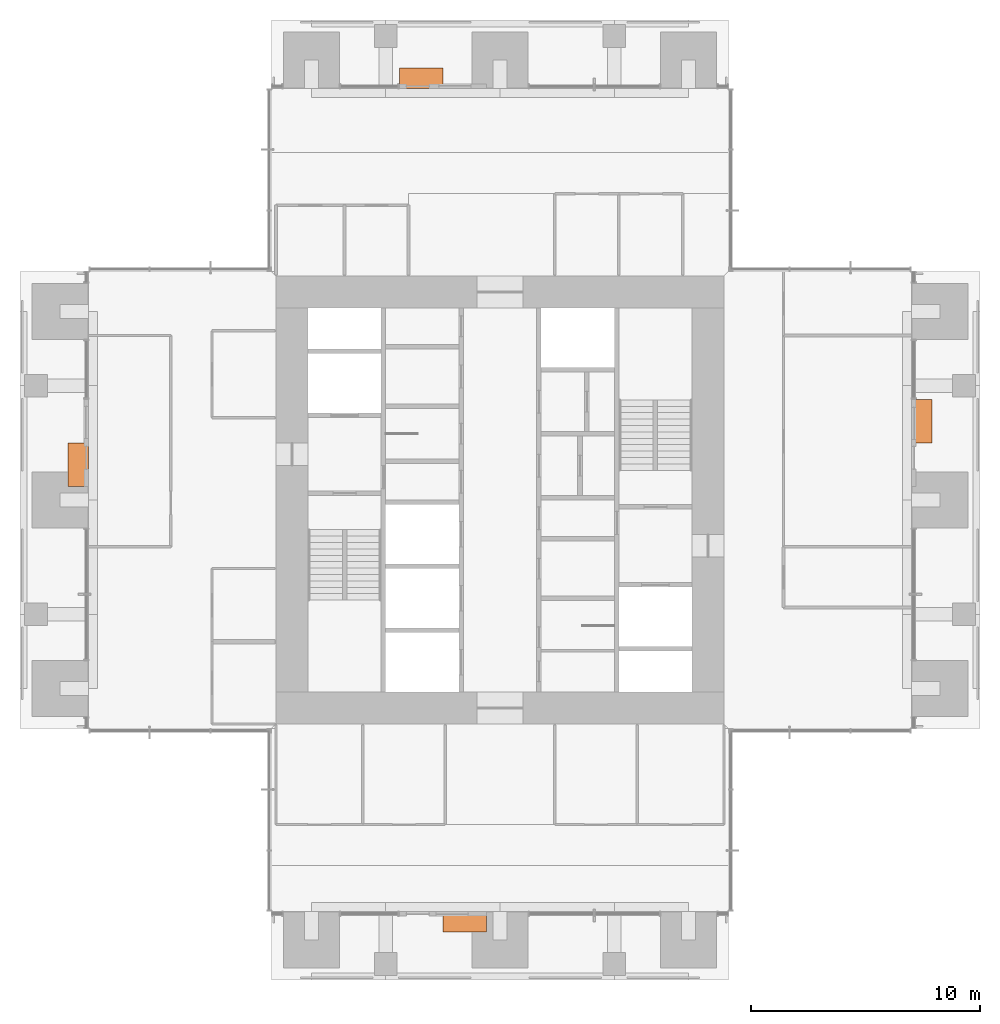
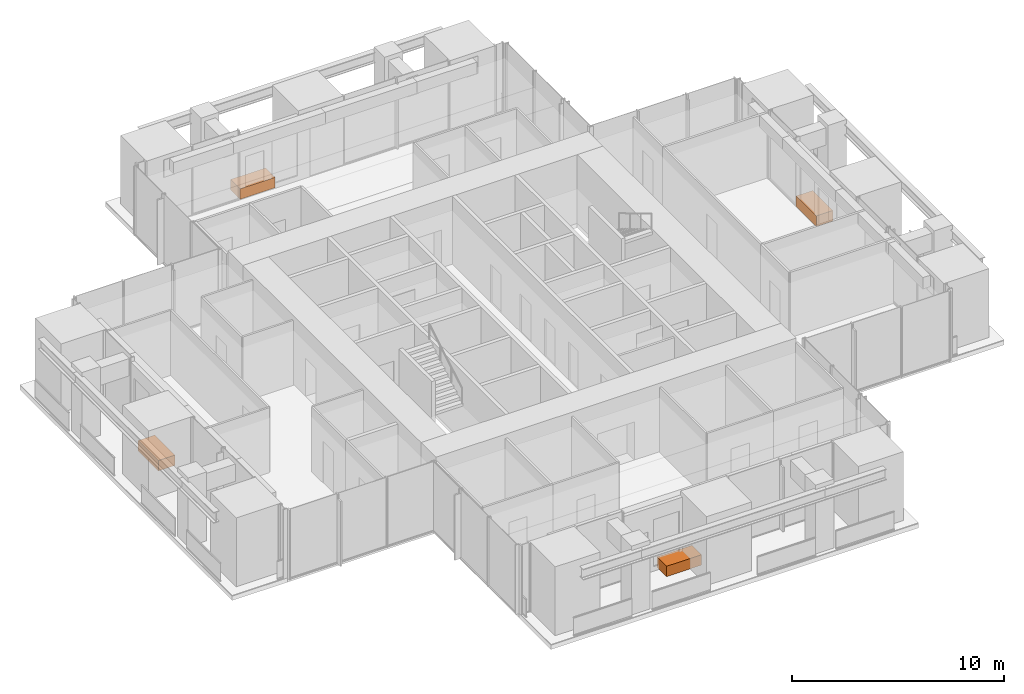
# One storey, part 17 of 17: 4 proxies.
"""IFC4 building model written with IfcOpenShell, lengths in metres."""

from ifc_helpers import new_model, si_unit, direction, frame, origin, origin_2d, place, context, subcontext, project, spatial, rectangle, extrude, element, save


model = new_model("IFC4")

# Units and contexts
model_context = context("Model", 3, precision=1e-05, world=origin(), true_north=direction((0.0, 1.0)))
body_context = subcontext(model_context, "Body", "Model", "MODEL_VIEW")
ifc_project = project(units=[si_unit("LENGTHUNIT", "METRE"), si_unit("AREAUNIT", "SQUARE_METRE"), si_unit("VOLUMEUNIT", "CUBIC_METRE"), si_unit("PLANEANGLEUNIT", "RADIAN"), si_unit("MASSUNIT", "GRAM", prefix="KILO")], contexts=[model_context])

# Site, building, storey
site_placement = place(None, origin())
site = spatial("IfcSite", under=ifc_project, at=site_placement, CompositionType="ELEMENT")
building_placement = place(site_placement, origin())
building = spatial("IfcBuilding", under=site, at=building_placement, Name="Svetlomir Tower", CompositionType="ELEMENT")
storey_placement = place(building_placement, frame((0.0, 0.0, 198.5)))
storey = spatial("IfcBuildingStorey", under=building, at=storey_placement, Name="L47", CompositionType="ELEMENT", Elevation=198.5)

# Proxies
proxy_1_placement = place(storey_placement, frame((19.449951171875, 2.550048828125, 0.0400390625), z_axis=(0.0, 0.0, 1.0), x_axis=(1.0, 0.0, 0.0)))
element("IfcBuildingElementProxy", 1, at=proxy_1_placement, inside=storey, Name="Tree planter S L47", ObjectType="PLANTER", PredefinedType="USERDEFINED", context=body_context, shape_type="SweptSolid", body=[
    extrude(rectangle(XDim=1.89990234375, YDim=0.89990234375, at=origin_2d()), origin(), (0.0, 0.0, 1.0), 0.60009765625),
])
proxy_2_placement = place(storey_placement, frame((39.449951171875, 24.449951171875, 0.0400390625), z_axis=(0.0, 0.0, 1.0), x_axis=(1.0, 0.0, 0.0)))
element("IfcBuildingElementProxy", 2, at=proxy_2_placement, inside=storey, Name="Tree planter E L47", ObjectType="PLANTER", PredefinedType="USERDEFINED", context=body_context, shape_type="SweptSolid", body=[
    extrude(rectangle(XDim=0.89990234375, YDim=1.89990234375, at=origin_2d()), origin(), (0.0, 0.0, 1.0), 0.60009765625),
])
proxy_3_placement = place(storey_placement, frame((17.550048828125, 39.449951171875, 0.0400390625), z_axis=(0.0, 0.0, 1.0), x_axis=(1.0, 0.0, 0.0)))
element("IfcBuildingElementProxy", 3, at=proxy_3_placement, inside=storey, Name="Tree planter N L47", ObjectType="PLANTER", PredefinedType="USERDEFINED", context=body_context, shape_type="SweptSolid", body=[
    extrude(rectangle(XDim=1.89990234375, YDim=0.89990234375, at=origin_2d()), origin(), (0.0, 0.0, 1.0), 0.60009765625),
])
proxy_4_placement = place(storey_placement, frame((2.550048828125, 22.550048828125, 0.0400390625), z_axis=(0.0, 0.0, 1.0), x_axis=(1.0, 0.0, 0.0)))
element("IfcBuildingElementProxy", 4, at=proxy_4_placement, inside=storey, Name="Tree planter W L47", ObjectType="PLANTER", PredefinedType="USERDEFINED", context=body_context, shape_type="SweptSolid", body=[
    extrude(rectangle(XDim=0.89990234375, YDim=1.89990234375, at=origin_2d()), origin(), (0.0, 0.0, 1.0), 0.60009765625),
])

save(model, "model.ifc")
